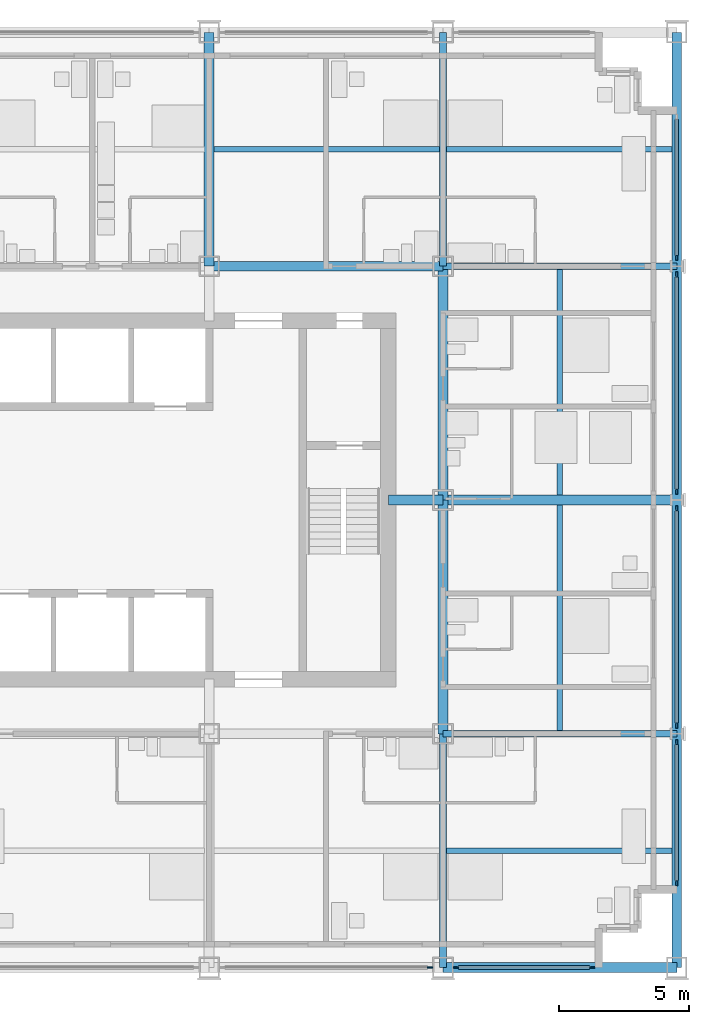
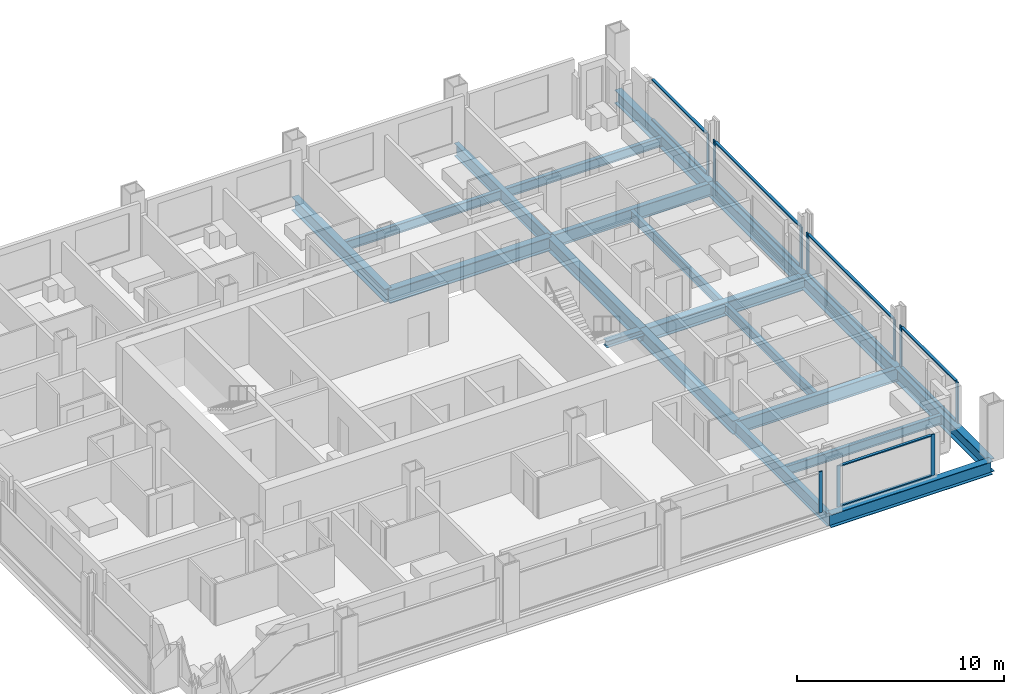
# One storey, part 5 of 17: 21 members, 19 beams, 6 elements without a shape of their own.
"""IFC4 building model written with IfcOpenShell, lengths in metres."""

from ifc_helpers import new_model, si_unit, direction, frame, origin, origin_2d, place, context, subcontext, project, spatial, rectangle, i_section, extrude, material, material_profile, profile_set, type_object, element, aggregate, save


model = new_model("IFC4")

# Units and contexts
model_context = context("Model", 3, precision=1e-05, world=origin(), true_north=direction((0.0, 1.0)))
body_context = subcontext(model_context, "Body", "Model", "MODEL_VIEW")
ifc_project = project(units=[si_unit("LENGTHUNIT", "METRE"), si_unit("AREAUNIT", "SQUARE_METRE"), si_unit("VOLUMEUNIT", "CUBIC_METRE"), si_unit("PLANEANGLEUNIT", "RADIAN"), si_unit("MASSUNIT", "GRAM", prefix="KILO")], contexts=[model_context])

# Site, building, storey
site_placement = place(None, origin())
site = spatial("IfcSite", under=ifc_project, at=site_placement, CompositionType="ELEMENT")
building_placement = place(site_placement, origin())
building = spatial("IfcBuilding", under=site, at=building_placement, Name="Loomwork Tower", CompositionType="ELEMENT")
storey_placement = place(building_placement, frame((0.0, 0.0, 145.199951171875)))
storey = spatial("IfcBuildingStorey", under=building, at=storey_placement, Name="L39", CompositionType="ELEMENT", Elevation=145.199951171875)

# Beams
ifc_material_1 = material(Name="Steel ASTM A992", Category="steel")
ifc_material_profile_1 = material_profile(ifc_material_1, i_section(OverallWidth=0.383544921875, OverallDepth=0.794921875, WebThickness=0.02099609375, FlangeThickness=0.0380859375, at=origin_2d()), Name="W30x235")
ifc_profile_set_1 = profile_set([ifc_material_profile_1], Name="Steel ASTM A992")
beam_type_1 = type_object("IfcBeamType", Name="CORE FLANK GIRDER W30x235", PredefinedType="BEAM", material=ifc_profile_set_1)
for number, where, z_axis, x_axis, name in (
    (1, (36.0, 18.0, -0.597412109375), (1.0, 0.0, 0.0), (0.0, 1.0, 0.0), "Core Flank Girder F/6-F/7 L39"),
    (2, (27.0, 27.0, -0.597412109375), (1.0, 0.0, 0.0), (0.0, 1.0, 0.0), "Core Flank Girder G/5-G/6 L39"),
    (3, (27.0, 27.0, -0.597412109375), (0.0, 1.0, 0.0), (-1.0, 0.0, 0.0), "Core Flank Girder G/5-H/5 L39"),
    (4, (36.0, 9.0, -0.597412109375), (0.0, 1.0, 0.0), (-1.0, 0.0, 0.0), "Core Flank Girder E/6-F/6 L39"),
    (5, (36.0, 18.0, -0.597412109375), (0.0, 1.0, 0.0), (-1.0, 0.0, 0.0), "Core Flank Girder F/6-G/6 L39"),
):
    element("IfcBeam", number, at=place(storey_placement, frame(where, z_axis=z_axis, x_axis=x_axis)), inside=storey, type_object=beam_type_1, Name=name, PredefinedType="BEAM", context=body_context, shape_type="SweptSolid", body=[
        extrude(i_section(OverallWidth=0.383544921875, OverallDepth=0.794921875, WebThickness=0.02099609375, FlangeThickness=0.0380859375, at=origin_2d()), origin(), (0.0, 0.0, 1.0), 9.0),
    ])

# Member
ifc_material_2 = material(Name="Steel ASTM A992", Category="steel")
ifc_material_profile_2 = material_profile(ifc_material_2, i_section(OverallWidth=0.373291015625, OverallDepth=0.373291015625, WebThickness=0.016357421875, FlangeThickness=0.026123046875, at=origin_2d()), Name="W14x132")
ifc_profile_set_2 = profile_set([ifc_material_profile_2], Name="Steel ASTM A992")
member_type_1 = type_object("IfcMemberType", Name="CORE LINK STRUT W14x132", PredefinedType="STRUT", material=ifc_profile_set_2)
member_1_placement = place(storey_placement, frame((36.0, 18.0, -0.38671875), z_axis=(-1.0, 0.0, 0.0), x_axis=(0.0, -1.0, 0.0)))
element("IfcMember", 6, at=member_1_placement, inside=storey, type_object=member_type_1, Name="Core link strut F/6-33.900,18.000 L39", PredefinedType="STRUT", context=body_context, shape_type="SweptSolid", body=[
    extrude(i_section(OverallWidth=0.373291015625, OverallDepth=0.373291015625, WebThickness=0.016357421875, FlangeThickness=0.026123046875, at=origin_2d()), origin(), (0.0, 0.0, 1.0), 2.10009765625),
])

# Beams
ifc_material_3 = material(Name="Steel ASTM A992", Category="steel")
ifc_material_profile_3 = material_profile(ifc_material_3, i_section(OverallWidth=0.2666015625, OverallDepth=0.761962890625, WebThickness=0.014404296875, FlangeThickness=0.021484375, at=origin_2d()), Name="W30x116")
ifc_profile_set_3 = profile_set([ifc_material_profile_3], Name="Steel ASTM A992")
beam_type_2 = type_object("IfcBeamType", Name="FLOOR GIRDER W30x116", PredefinedType="BEAM", material=ifc_profile_set_3)
for number, where, z_axis, x_axis, name in (
    (7, (36.0, 9.0, -0.5810546875), (1.0, 0.0, 0.0), (0.0, 1.0, 0.0), "Floor Girder E/6-E/7 L39"),
    (8, (36.0, 27.0, -0.5810546875), (1.0, 0.0, 0.0), (0.0, 1.0, 0.0), "Floor Girder G/6-G/7 L39"),
    (9, (36.0, 0.0, -0.5810546875), (0.0, 1.0, 0.0), (-1.0, 0.0, 0.0), "Floor Girder D/6-E/6 L39"),
    (10, (36.0, 27.0, -0.5810546875), (0.0, 1.0, 0.0), (-1.0, 0.0, 0.0), "Floor Girder G/6-H/6 L39"),
):
    element("IfcBeam", number, at=place(storey_placement, frame(where, z_axis=z_axis, x_axis=x_axis)), inside=storey, type_object=beam_type_2, Name=name, PredefinedType="BEAM", context=body_context, shape_type="SweptSolid", body=[
        extrude(i_section(OverallWidth=0.2666015625, OverallDepth=0.761962890625, WebThickness=0.014404296875, FlangeThickness=0.021484375, at=origin_2d()), origin(), (0.0, 0.0, 1.0), 9.0),
    ])
ifc_material_4 = material(Name="Steel ASTM A992", Category="steel")
ifc_material_profile_4 = material_profile(ifc_material_4, i_section(OverallWidth=0.2109375, OverallDepth=0.53857421875, WebThickness=0.011474609375, FlangeThickness=0.018798828125, at=origin_2d()), Name="W21x73")
ifc_profile_set_4 = profile_set([ifc_material_profile_4], Name="Steel ASTM A992")
beam_type_3 = type_object("IfcBeamType", Name="FLOOR JOIST W21x73", PredefinedType="JOIST", material=ifc_profile_set_4)
beam_1_placement = place(storey_placement, frame((27.19091796875, 31.5, -0.46923828125), z_axis=(1.0, 0.0, 0.0), x_axis=(0.0, 1.0, 0.0)))
element("IfcBeam", 11, at=beam_1_placement, inside=storey, type_object=beam_type_3, Name="Floor Joist 27.000,31.500-36.000,31.500 L39", PredefinedType="JOIST", context=body_context, shape_type="SweptSolid", body=[
    extrude(i_section(OverallWidth=0.2109375, OverallDepth=0.53857421875, WebThickness=0.011474609375, FlangeThickness=0.018798828125, at=origin_2d()), origin(), (0.0, 0.0, 1.0), 8.676025390625),
])
beam_2_placement = place(storey_placement, frame((36.133056640625, 4.5, -0.46923828125), z_axis=(1.0, 0.0, 0.0), x_axis=(0.0, 1.0, 0.0)))
element("IfcBeam", 12, at=beam_2_placement, inside=storey, type_object=beam_type_3, Name="Floor Joist 36.000,4.500-45.000,4.500 L39", PredefinedType="JOIST", context=body_context, shape_type="SweptSolid", body=[
    extrude(i_section(OverallWidth=0.2109375, OverallDepth=0.53857421875, WebThickness=0.011474609375, FlangeThickness=0.018798828125, at=origin_2d()), origin(), (0.0, 0.0, 1.0), 8.677001953125),
])
for number, where, z_axis, x_axis, name in (
    (13, (40.5, 9.133056640625, -0.46923828125), (0.0, 1.0, 0.0), (-1.0, 0.0, 0.0), "Floor Joist 40.500,9.000-40.500,18.000 L39"),
    (14, (40.5, 18.19091796875, -0.46923828125), (0.0, 1.0, 0.0), (-1.0, 0.0, 0.0), "Floor Joist 40.500,18.000-40.500,27.000 L39"),
):
    element("IfcBeam", number, at=place(storey_placement, frame(where, z_axis=z_axis, x_axis=x_axis)), inside=storey, type_object=beam_type_3, Name=name, PredefinedType="JOIST", context=body_context, shape_type="SweptSolid", body=[
        extrude(i_section(OverallWidth=0.2109375, OverallDepth=0.53857421875, WebThickness=0.011474609375, FlangeThickness=0.018798828125, at=origin_2d()), origin(), (0.0, 0.0, 1.0), 8.676025390625),
    ])
beam_3_placement = place(storey_placement, frame((36.133056640625, 31.5, -0.46923828125), z_axis=(1.0, 0.0, 0.0), x_axis=(0.0, 1.0, 0.0)))
element("IfcBeam", 15, at=beam_3_placement, inside=storey, type_object=beam_type_3, Name="Floor Joist 36.000,31.500-45.000,31.500 L39", PredefinedType="JOIST", context=body_context, shape_type="SweptSolid", body=[
    extrude(i_section(OverallWidth=0.2109375, OverallDepth=0.53857421875, WebThickness=0.011474609375, FlangeThickness=0.018798828125, at=origin_2d()), origin(), (0.0, 0.0, 1.0), 8.677001953125),
])

# Curtain wall, member
ifc_material_5 = material(Name="Aluminium curtain wall frame", Category="aluminium")
curtain_wall_type = type_object("IfcCurtainWallType", Name="Outer skin glazing hotel", PredefinedType="NOTDEFINED", material=ifc_material_5)
curtain_wall_1_placement = place(storey_placement, origin())
curtain_wall_1 = element("IfcCurtainWall", 16, at=curtain_wall_1_placement, inside=storey, type_object=curtain_wall_type, Name="Outer skin glazing hotel cw/S-27", PredefinedType="NOTDEFINED")
ifc_material_6 = material(Name="Aluminium curtain wall frame", Category="aluminium")
ifc_material_profile_5 = material_profile(ifc_material_6, rectangle(XDim=0.06494140625, YDim=0.199951171875, at=origin_2d()), Name="AL 65x200")
ifc_profile_set_5 = profile_set([ifc_material_profile_5], Name="Aluminium curtain wall frame")
member_type_2 = type_object("IfcMemberType", Name="Outer skin glazing hotel mullion", PredefinedType="MULLION", material=ifc_profile_set_5)
member_2_placement = place(storey_placement, frame((35.5, 0.0, 0.0), z_axis=(0.0, 0.0, 1.0), x_axis=(0.0, 1.0, 0.0)))
member_2 = element("IfcMember", 17, at=member_2_placement, type_object=member_type_2, Name="CW1 mullion 2", PredefinedType="MULLION", context=body_context, shape_type="SweptSolid", body=[
    extrude(rectangle(XDim=0.06494140625, YDim=0.199951171875, at=origin_2d()), origin(), (0.0, 0.0, 1.0), 2.420166015625),
])
aggregate(curtain_wall_1, [member_2])

# Curtain wall, members
curtain_wall_2_placement = place(storey_placement, origin())
curtain_wall_2 = element("IfcCurtainWall", 18, at=curtain_wall_2_placement, inside=storey, type_object=curtain_wall_type, Name="Outer skin glazing hotel cw/S-36", PredefinedType="NOTDEFINED")
member_3_placement = place(storey_placement, frame((36.5, 0.0, 0.0), z_axis=(0.0, 0.0, 1.0), x_axis=(0.0, 1.0, 0.0)))
member_3 = element("IfcMember", 19, at=member_3_placement, type_object=member_type_2, Name="CW1 mullion 1", PredefinedType="MULLION", context=body_context, shape_type="SweptSolid", body=[
    extrude(rectangle(XDim=0.06494140625, YDim=0.199951171875, at=origin_2d()), origin(), (0.0, 0.0, 1.0), 2.420166015625),
])
member_4_placement = place(storey_placement, frame((41.75, 0.0, 0.0), z_axis=(0.0, 0.0, 1.0), x_axis=(0.0, 1.0, 0.0)))
member_4 = element("IfcMember", 20, at=member_4_placement, type_object=member_type_2, Name="CW1 mullion 2", PredefinedType="MULLION", context=body_context, shape_type="SweptSolid", body=[
    extrude(rectangle(XDim=0.06494140625, YDim=0.199951171875, at=origin_2d()), origin(), (0.0, 0.0, 1.0), 2.420166015625),
])

curtain_wall_3_placement = place(storey_placement, origin())
curtain_wall_3 = element("IfcCurtainWall", 21, at=curtain_wall_3_placement, inside=storey, type_object=curtain_wall_type, Name="Outer skin glazing hotel cw/E-0", PredefinedType="NOTDEFINED")
member_5_placement = place(storey_placement, frame((45.0, 3.25, 0.0), z_axis=(0.0, 0.0, 1.0), x_axis=(-1.0, 0.0, 0.0)))
member_5 = element("IfcMember", 22, at=member_5_placement, type_object=member_type_2, Name="CW1 mullion 1", PredefinedType="MULLION", context=body_context, shape_type="SweptSolid", body=[
    extrude(rectangle(XDim=0.06494140625, YDim=0.199951171875, at=origin_2d()), origin(), (0.0, 0.0, 1.0), 2.420166015625),
])
member_6_placement = place(storey_placement, frame((45.0, 8.678955078125, 0.0), z_axis=(0.0, 0.0, 1.0), x_axis=(-1.0, 0.0, 0.0)))
member_6 = element("IfcMember", 23, at=member_6_placement, type_object=member_type_2, Name="CW1 mullion 2", PredefinedType="MULLION", context=body_context, shape_type="SweptSolid", body=[
    extrude(rectangle(XDim=0.06494140625, YDim=0.199951171875, at=origin_2d()), origin(), (0.0, 0.0, 1.0), 2.420166015625),
])

curtain_wall_4_placement = place(storey_placement, origin())
curtain_wall_4 = element("IfcCurtainWall", 24, at=curtain_wall_4_placement, inside=storey, type_object=curtain_wall_type, Name="Outer skin glazing hotel cw/E-9", PredefinedType="NOTDEFINED")
member_7_placement = place(storey_placement, frame((45.0, 9.321044921875, 0.0), z_axis=(0.0, 0.0, 1.0), x_axis=(-1.0, 0.0, 0.0)))
member_7 = element("IfcMember", 25, at=member_7_placement, type_object=member_type_2, Name="CW1 mullion 1", PredefinedType="MULLION", context=body_context, shape_type="SweptSolid", body=[
    extrude(rectangle(XDim=0.06494140625, YDim=0.199951171875, at=origin_2d()), origin(), (0.0, 0.0, 1.0), 2.420166015625),
])
member_8_placement = place(storey_placement, frame((45.0, 17.678955078125, 0.0), z_axis=(0.0, 0.0, 1.0), x_axis=(-1.0, 0.0, 0.0)))
member_8 = element("IfcMember", 26, at=member_8_placement, type_object=member_type_2, Name="CW1 mullion 2", PredefinedType="MULLION", context=body_context, shape_type="SweptSolid", body=[
    extrude(rectangle(XDim=0.06494140625, YDim=0.199951171875, at=origin_2d()), origin(), (0.0, 0.0, 1.0), 2.420166015625),
])

curtain_wall_5_placement = place(storey_placement, origin())
curtain_wall_5 = element("IfcCurtainWall", 27, at=curtain_wall_5_placement, inside=storey, type_object=curtain_wall_type, Name="Outer skin glazing hotel cw/E-18", PredefinedType="NOTDEFINED")
member_9_placement = place(storey_placement, frame((45.0, 18.321044921875, 0.0), z_axis=(0.0, 0.0, 1.0), x_axis=(-1.0, 0.0, 0.0)))
member_9 = element("IfcMember", 28, at=member_9_placement, type_object=member_type_2, Name="CW1 mullion 1", PredefinedType="MULLION", context=body_context, shape_type="SweptSolid", body=[
    extrude(rectangle(XDim=0.06494140625, YDim=0.199951171875, at=origin_2d()), origin(), (0.0, 0.0, 1.0), 2.420166015625),
])
member_10_placement = place(storey_placement, frame((45.0, 26.678955078125, 0.0), z_axis=(0.0, 0.0, 1.0), x_axis=(-1.0, 0.0, 0.0)))
member_10 = element("IfcMember", 29, at=member_10_placement, type_object=member_type_2, Name="CW1 mullion 2", PredefinedType="MULLION", context=body_context, shape_type="SweptSolid", body=[
    extrude(rectangle(XDim=0.06494140625, YDim=0.199951171875, at=origin_2d()), origin(), (0.0, 0.0, 1.0), 2.420166015625),
])

# Curtain wall, member
curtain_wall_6_placement = place(storey_placement, origin())
curtain_wall_6 = element("IfcCurtainWall", 30, at=curtain_wall_6_placement, inside=storey, type_object=curtain_wall_type, Name="Outer skin glazing hotel cw/E-27", PredefinedType="NOTDEFINED")
member_11_placement = place(storey_placement, frame((45.0, 27.321044921875, 0.0), z_axis=(0.0, 0.0, 1.0), x_axis=(-1.0, 0.0, 0.0)))
member_11 = element("IfcMember", 31, at=member_11_placement, type_object=member_type_2, Name="CW1 mullion 1", PredefinedType="MULLION", context=body_context, shape_type="SweptSolid", body=[
    extrude(rectangle(XDim=0.06494140625, YDim=0.199951171875, at=origin_2d()), origin(), (0.0, 0.0, 1.0), 2.420166015625),
])

# Member
ifc_material_7 = material(Name="Aluminium curtain wall frame", Category="aluminium")
ifc_material_profile_6 = material_profile(ifc_material_7, rectangle(XDim=0.14990234375, YDim=0.06494140625, at=origin_2d()), Name="AL 65x150")
ifc_profile_set_6 = profile_set([ifc_material_profile_6], Name="Aluminium curtain wall frame")
member_type_3 = type_object("IfcMemberType", Name="Outer skin glazing hotel transom", PredefinedType="USERDEFINED", material=ifc_profile_set_6)
member_12_placement = place(storey_placement, frame((36.60009765625, 0.0, 0.032470703125), z_axis=(1.0, 0.0, 0.0), x_axis=(0.0, 1.0, 0.0)))
member_12 = element("IfcMember", 32, at=member_12_placement, type_object=member_type_3, Name="CW1 transom 1.1", ObjectType="TRANSOM", PredefinedType="USERDEFINED", context=body_context, shape_type="SweptSolid", body=[
    extrude(rectangle(XDim=0.14990234375, YDim=0.06494140625, at=origin_2d()), origin(), (0.0, 0.0, 1.0), 5.0498046875),
])

member_13_placement = place(storey_placement, frame((36.60009765625, 0.0, 2.3876953125), z_axis=(1.0, 0.0, 0.0), x_axis=(0.0, 1.0, 0.0)))
member_13 = element("IfcMember", 33, at=member_13_placement, type_object=member_type_3, Name="CW1 transom 1.2", ObjectType="TRANSOM", PredefinedType="USERDEFINED", context=body_context, shape_type="SweptSolid", body=[
    extrude(rectangle(XDim=0.14990234375, YDim=0.06494140625, at=origin_2d()), origin(), (0.0, 0.0, 1.0), 5.0498046875),
])

aggregate(curtain_wall_2, [member_3, member_4, member_12, member_13])

member_14_placement = place(storey_placement, frame((45.0, 3.35009765625, 0.032470703125), z_axis=(0.0, 1.0, 0.0), x_axis=(-1.0, 0.0, 0.0)))
member_14 = element("IfcMember", 34, at=member_14_placement, type_object=member_type_3, Name="CW1 transom 1.1", ObjectType="TRANSOM", PredefinedType="USERDEFINED", context=body_context, shape_type="SweptSolid", body=[
    extrude(rectangle(XDim=0.14990234375, YDim=0.06494140625, at=origin_2d()), origin(), (0.0, 0.0, 1.0), 5.22900390625),
])

member_15_placement = place(storey_placement, frame((45.0, 3.35009765625, 2.3876953125), z_axis=(0.0, 1.0, 0.0), x_axis=(-1.0, 0.0, 0.0)))
member_15 = element("IfcMember", 35, at=member_15_placement, type_object=member_type_3, Name="CW1 transom 1.2", ObjectType="TRANSOM", PredefinedType="USERDEFINED", context=body_context, shape_type="SweptSolid", body=[
    extrude(rectangle(XDim=0.14990234375, YDim=0.06494140625, at=origin_2d()), origin(), (0.0, 0.0, 1.0), 5.22900390625),
])

aggregate(curtain_wall_3, [member_5, member_6, member_14, member_15])

member_16_placement = place(storey_placement, frame((45.0, 9.4208984375, 0.032470703125), z_axis=(0.0, 1.0, 0.0), x_axis=(-1.0, 0.0, 0.0)))
member_16 = element("IfcMember", 36, at=member_16_placement, type_object=member_type_3, Name="CW1 transom 1.1", ObjectType="TRANSOM", PredefinedType="USERDEFINED", context=body_context, shape_type="SweptSolid", body=[
    extrude(rectangle(XDim=0.14990234375, YDim=0.06494140625, at=origin_2d()), origin(), (0.0, 0.0, 1.0), 8.158203125),
])

member_17_placement = place(storey_placement, frame((45.0, 9.4208984375, 2.3876953125), z_axis=(0.0, 1.0, 0.0), x_axis=(-1.0, 0.0, 0.0)))
member_17 = element("IfcMember", 37, at=member_17_placement, type_object=member_type_3, Name="CW1 transom 1.2", ObjectType="TRANSOM", PredefinedType="USERDEFINED", context=body_context, shape_type="SweptSolid", body=[
    extrude(rectangle(XDim=0.14990234375, YDim=0.06494140625, at=origin_2d()), origin(), (0.0, 0.0, 1.0), 8.158203125),
])

aggregate(curtain_wall_4, [member_7, member_8, member_16, member_17])

member_18_placement = place(storey_placement, frame((45.0, 18.4208984375, 0.032470703125), z_axis=(0.0, 1.0, 0.0), x_axis=(-1.0, 0.0, 0.0)))
member_18 = element("IfcMember", 38, at=member_18_placement, type_object=member_type_3, Name="CW1 transom 1.1", ObjectType="TRANSOM", PredefinedType="USERDEFINED", context=body_context, shape_type="SweptSolid", body=[
    extrude(rectangle(XDim=0.14990234375, YDim=0.06494140625, at=origin_2d()), origin(), (0.0, 0.0, 1.0), 8.158203125),
])

member_19_placement = place(storey_placement, frame((45.0, 18.4208984375, 2.3876953125), z_axis=(0.0, 1.0, 0.0), x_axis=(-1.0, 0.0, 0.0)))
member_19 = element("IfcMember", 39, at=member_19_placement, type_object=member_type_3, Name="CW1 transom 1.2", ObjectType="TRANSOM", PredefinedType="USERDEFINED", context=body_context, shape_type="SweptSolid", body=[
    extrude(rectangle(XDim=0.14990234375, YDim=0.06494140625, at=origin_2d()), origin(), (0.0, 0.0, 1.0), 8.158203125),
])

aggregate(curtain_wall_5, [member_9, member_10, member_18, member_19])

member_20_placement = place(storey_placement, frame((45.0, 27.4208984375, 0.032470703125), z_axis=(0.0, 1.0, 0.0), x_axis=(-1.0, 0.0, 0.0)))
member_20 = element("IfcMember", 40, at=member_20_placement, type_object=member_type_3, Name="CW1 transom 1.1", ObjectType="TRANSOM", PredefinedType="USERDEFINED", context=body_context, shape_type="SweptSolid", body=[
    extrude(rectangle(XDim=0.14990234375, YDim=0.06494140625, at=origin_2d()), origin(), (0.0, 0.0, 1.0), 5.22900390625),
])

member_21_placement = place(storey_placement, frame((45.0, 27.4208984375, 2.3876953125), z_axis=(0.0, 1.0, 0.0), x_axis=(-1.0, 0.0, 0.0)))
member_21 = element("IfcMember", 41, at=member_21_placement, type_object=member_type_3, Name="CW1 transom 1.2", ObjectType="TRANSOM", PredefinedType="USERDEFINED", context=body_context, shape_type="SweptSolid", body=[
    extrude(rectangle(XDim=0.14990234375, YDim=0.06494140625, at=origin_2d()), origin(), (0.0, 0.0, 1.0), 5.22900390625),
])

aggregate(curtain_wall_6, [member_11, member_20, member_21])

# Beams
ifc_material_8 = material(Name="Steel ASTM A992", Category="steel")
ifc_material_profile_7 = material_profile(ifc_material_8, i_section(OverallWidth=0.381103515625, OverallDepth=0.77978515625, WebThickness=0.01806640625, FlangeThickness=0.0302734375, at=origin_2d()), Name="W30x191")
ifc_profile_set_7 = profile_set([ifc_material_profile_7], Name="Steel ASTM A992")
beam_type_4 = type_object("IfcBeamType", Name="SPANDREL GIRDER W30x191", PredefinedType="SPANDREL", material=ifc_profile_set_7)
for number, where, z_axis, x_axis, name in (
    (42, (36.0, 0.0, -0.58984375), (1.0, 0.0, 0.0), (0.0, 1.0, 0.0), "Spandrel Girder D/6-D/7 L39"),
    (43, (45.0, 0.0, -0.58984375), (0.0, 1.0, 0.0), (-1.0, 0.0, 0.0), "Spandrel Girder D/7-E/7 L39"),
    (44, (45.0, 9.0, -0.58984375), (0.0, 1.0, 0.0), (-1.0, 0.0, 0.0), "Spandrel Girder E/7-F/7 L39"),
    (45, (45.0, 18.0, -0.58984375), (0.0, 1.0, 0.0), (-1.0, 0.0, 0.0), "Spandrel Girder F/7-G/7 L39"),
    (46, (45.0, 27.0, -0.58984375), (0.0, 1.0, 0.0), (-1.0, 0.0, 0.0), "Spandrel Girder G/7-H/7 L39"),
):
    element("IfcBeam", number, at=place(storey_placement, frame(where, z_axis=z_axis, x_axis=x_axis)), inside=storey, type_object=beam_type_4, Name=name, PredefinedType="SPANDREL", context=body_context, shape_type="SweptSolid", body=[
        extrude(i_section(OverallWidth=0.381103515625, OverallDepth=0.77978515625, WebThickness=0.01806640625, FlangeThickness=0.0302734375, at=origin_2d()), origin(), (0.0, 0.0, 1.0), 9.0),
    ])

save(model, "model.ifc")
